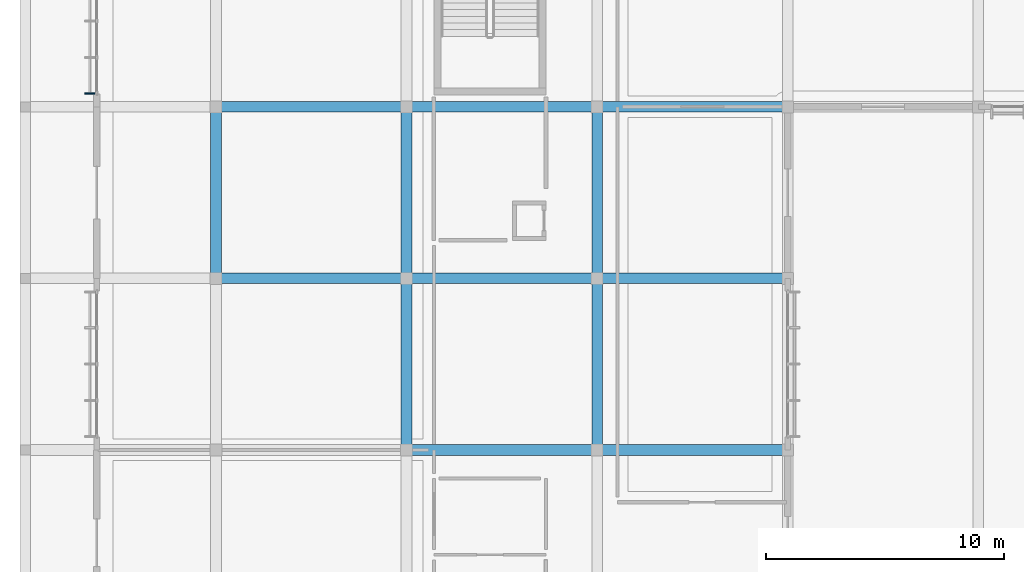
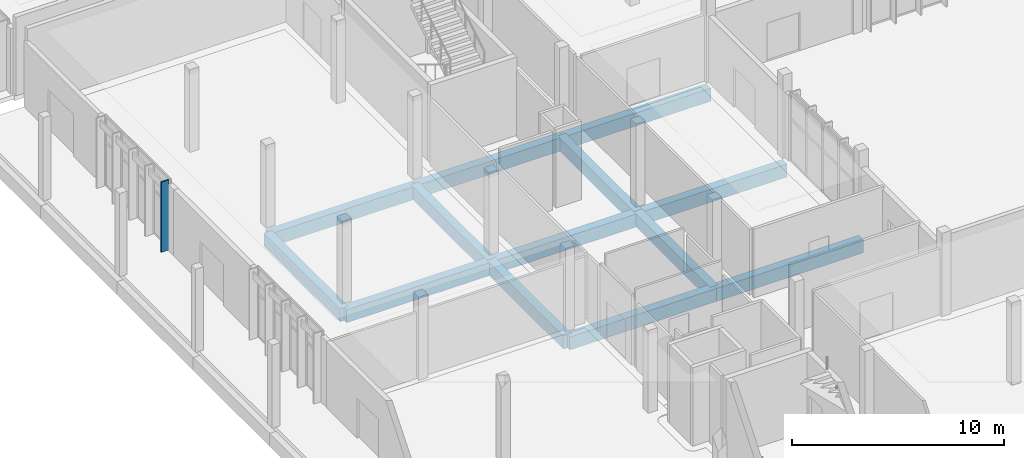
# One storey, part 49 of 151: 13 beams, 1 member, 1 element without a shape of its own.
"""IFC4 building model written with IfcOpenShell, lengths in metres."""

from ifc_helpers import new_model, si_unit, direction, frame, origin, origin_2d, place, context, subcontext, project, spatial, rectangle, extrude, material, material_profile, profile_set, type_object, element, aggregate, save


model = new_model("IFC4")

# Units and contexts
model_context = context("Model", 3, precision=1e-05, world=origin(), true_north=direction((0.0, 1.0)))
body_context = subcontext(model_context, "Body", "Model", "MODEL_VIEW")
ifc_project = project(units=[si_unit("LENGTHUNIT", "METRE"), si_unit("AREAUNIT", "SQUARE_METRE"), si_unit("VOLUMEUNIT", "CUBIC_METRE"), si_unit("PLANEANGLEUNIT", "RADIAN"), si_unit("MASSUNIT", "GRAM", prefix="KILO")], contexts=[model_context])

# Site, building, storey
site_placement = place(None, origin())
site = spatial("IfcSite", under=ifc_project, at=site_placement, CompositionType="ELEMENT")
building_placement = place(site_placement, origin())
building = spatial("IfcBuilding", under=site, at=building_placement, Name="Chiffa Square Polytechnic", CompositionType="ELEMENT")
storey_placement = place(building_placement, origin())
storey = spatial("IfcBuildingStorey", under=building, at=storey_placement, Name="L00", CompositionType="ELEMENT", Elevation=0.0)

# Curtain wall, member
ifc_material_1 = material(Name="Aluminium EN AW-6060 T66 and glulam shading", Category="wood")
curtain_wall_type = type_object("IfcCurtainWallType", Name="CW-VERT-300X380", PredefinedType="USERDEFINED", material=ifc_material_1)
curtain_wall_placement = place(storey_placement, origin())
curtain_wall = element("IfcCurtainWall", 1, at=curtain_wall_placement, inside=storey, type_object=curtain_wall_type, Name="Curtain wall CW-V6-L00-251", ObjectType="CURTAIN WALL", PredefinedType="USERDEFINED")
ifc_material_2 = material(Name="Glulam GL28h", Category="wood")
ifc_material_profile_1 = material_profile(ifc_material_2, rectangle(XDim=0.070068359375, YDim=0.419921875, at=origin_2d()), Name="GL28h 70x420")
ifc_profile_set_1 = profile_set([ifc_material_profile_1], Name="Glulam GL28h")
member_type = type_object("IfcMemberType", Name="CWM-GL-70X420", PredefinedType="MULLION", material=ifc_profile_set_1)
member_placement = place(storey_placement, frame((2.7080078125, 80.364990234375, 0.010009765625), z_axis=(0.0, 0.0, 1.0), x_axis=(0.0, -1.0, 0.0)))
member = element("IfcMember", 2, at=member_placement, type_object=member_type, Name="Exterior glulam solar fin CW-V6-L00-251-FN04", PredefinedType="MULLION", context=body_context, shape_type="SweptSolid", body=[
    extrude(rectangle(XDim=0.070068359375, YDim=0.419921875, at=origin_2d()), origin(), (0.0, 0.0, 1.0), 4.044921875),
])
aggregate(curtain_wall, [member])

# Beams
ifc_material_3 = material(Name="Concrete C35/45", Category="concrete")
ifc_material_profile_2 = material_profile(ifc_material_3, rectangle(XDim=0.449951171875, YDim=0.75, at=origin_2d()), Name="RC 450x750")
ifc_profile_set_2 = profile_set([ifc_material_profile_2], Name="Concrete C35/45")
beam_type = type_object("IfcBeamType", Name="GB-RC-450X750", PredefinedType="BEAM", material=ifc_profile_set_2)
for number, where, z_axis, x_axis, name in (
    (3, (16.0, 65.39990234375, -0.77490234375), (1.0, 0.0, 0.0), (0.0, 1.0, 0.0), "Ground tie beam GB-V6-X-171"),
    (4, (24.0, 65.39990234375, -0.77490234375), (1.0, 0.0, 0.0), (0.0, 1.0, 0.0), "Ground tie beam GB-V6-X-172"),
    (5, (8.0, 72.60009765625, -0.77490234375), (1.0, 0.0, 0.0), (0.0, 1.0, 0.0), "Ground tie beam GB-V6-X-174"),
    (6, (16.0, 72.60009765625, -0.77490234375), (1.0, 0.0, 0.0), (0.0, 1.0, 0.0), "Ground tie beam GB-V6-X-175"),
    (7, (24.0, 72.60009765625, -0.77490234375), (1.0, 0.0, 0.0), (0.0, 1.0, 0.0), "Ground tie beam GB-V6-X-176"),
    (8, (8.0, 79.800048828125, -0.77490234375), (1.0, 0.0, 0.0), (0.0, 1.0, 0.0), "Ground tie beam GB-V6-X-178"),
    (9, (16.0, 79.800048828125, -0.77490234375), (1.0, 0.0, 0.0), (0.0, 1.0, 0.0), "Ground tie beam GB-V6-X-179"),
    (10, (24.0, 79.800048828125, -0.77490234375), (1.0, 0.0, 0.0), (0.0, 1.0, 0.0), "Ground tie beam GB-V6-X-180"),
):
    element("IfcBeam", number, at=place(storey_placement, frame(where, z_axis=z_axis, x_axis=x_axis)), inside=storey, type_object=beam_type, Name=name, PredefinedType="BEAM", context=body_context, shape_type="SweptSolid", body=[
        extrude(rectangle(XDim=0.449951171875, YDim=0.75, at=origin_2d()), origin(), (0.0, 0.0, 1.0), 8.0),
    ])
beam_1_placement = place(storey_placement, frame((8.0, 72.60009765625, -0.77490234375), z_axis=(0.0, 1.0, 0.0), x_axis=(-1.0, 0.0, 0.0)))
element("IfcBeam", 11, at=beam_1_placement, inside=storey, type_object=beam_type, Name="Ground tie beam GB-V6-Y-208", PredefinedType="BEAM", context=body_context, shape_type="SweptSolid", body=[
    extrude(rectangle(XDim=0.449951171875, YDim=0.75, at=origin_2d()), origin(), (0.0, 0.0, 1.0), 7.199951171875),
])
beam_2_placement = place(storey_placement, frame((16.0, 65.39990234375, -0.77490234375), z_axis=(0.0, 1.0, 0.0), x_axis=(-1.0, 0.0, 0.0)))
element("IfcBeam", 12, at=beam_2_placement, inside=storey, type_object=beam_type, Name="Ground tie beam GB-V6-Y-215", PredefinedType="BEAM", context=body_context, shape_type="SweptSolid", body=[
    extrude(rectangle(XDim=0.449951171875, YDim=0.75, at=origin_2d()), origin(), (0.0, 0.0, 1.0), 7.2001953125),
])
beam_3_placement = place(storey_placement, frame((16.0, 72.60009765625, -0.77490234375), z_axis=(0.0, 1.0, 0.0), x_axis=(-1.0, 0.0, 0.0)))
element("IfcBeam", 13, at=beam_3_placement, inside=storey, type_object=beam_type, Name="Ground tie beam GB-V6-Y-216", PredefinedType="BEAM", context=body_context, shape_type="SweptSolid", body=[
    extrude(rectangle(XDim=0.449951171875, YDim=0.75, at=origin_2d()), origin(), (0.0, 0.0, 1.0), 7.199951171875),
])
beam_4_placement = place(storey_placement, frame((24.0, 65.39990234375, -0.77490234375), z_axis=(0.0, 1.0, 0.0), x_axis=(-1.0, 0.0, 0.0)))
element("IfcBeam", 14, at=beam_4_placement, inside=storey, type_object=beam_type, Name="Ground tie beam GB-V6-Y-223", PredefinedType="BEAM", context=body_context, shape_type="SweptSolid", body=[
    extrude(rectangle(XDim=0.449951171875, YDim=0.75, at=origin_2d()), origin(), (0.0, 0.0, 1.0), 7.2001953125),
])
beam_5_placement = place(storey_placement, frame((24.0, 72.60009765625, -0.77490234375), z_axis=(0.0, 1.0, 0.0), x_axis=(-1.0, 0.0, 0.0)))
element("IfcBeam", 15, at=beam_5_placement, inside=storey, type_object=beam_type, Name="Ground tie beam GB-V6-Y-224", PredefinedType="BEAM", context=body_context, shape_type="SweptSolid", body=[
    extrude(rectangle(XDim=0.449951171875, YDim=0.75, at=origin_2d()), origin(), (0.0, 0.0, 1.0), 7.199951171875),
])

save(model, "model.ifc")
